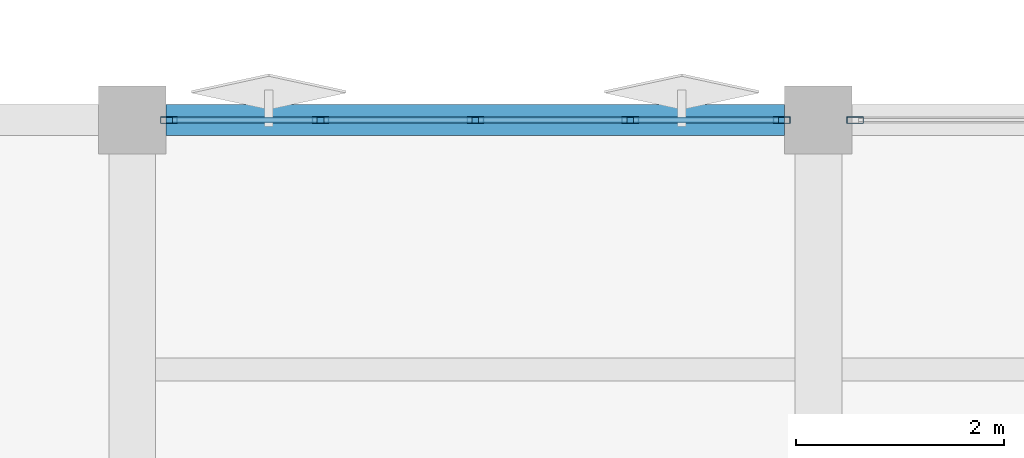
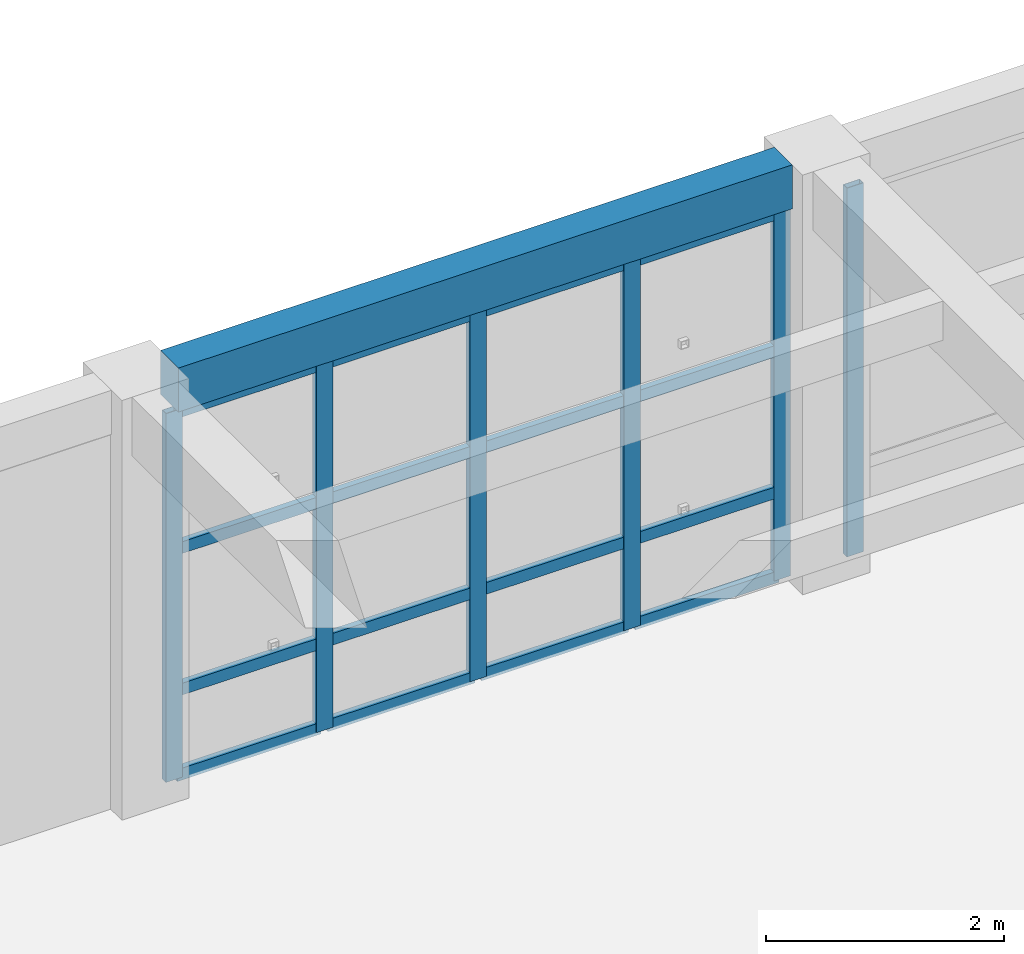
# One storey, part 12 of 39: 22 members, 1 beam, 2 elements without a shape of their own.
"""IFC4 building model written with IfcOpenShell, lengths in metres."""

from ifc_helpers import new_model, si_unit, direction, frame, origin, origin_2d, place, context, subcontext, project, spatial, rectangle, hollow_rectangle, extrude, material, layer, layer_set, material_profile, profile_set, type_object, element, aggregate, save


model = new_model("IFC4")

# Units and contexts
model_context = context("Model", 3, precision=1e-05, world=origin(), true_north=direction((0.0, 1.0)))
body_context = subcontext(model_context, "Body", "Model", "MODEL_VIEW")
ifc_project = project(units=[si_unit("LENGTHUNIT", "METRE"), si_unit("AREAUNIT", "SQUARE_METRE"), si_unit("VOLUMEUNIT", "CUBIC_METRE"), si_unit("PLANEANGLEUNIT", "RADIAN"), si_unit("MASSUNIT", "GRAM", prefix="KILO")], contexts=[model_context])

# Site, building, storey
site_placement = place(None, origin())
site = spatial("IfcSite", under=ifc_project, at=site_placement, CompositionType="ELEMENT")
building_placement = place(site_placement, origin())
building = spatial("IfcBuilding", under=site, at=building_placement, Name="Kharisveld Research Institute", CompositionType="ELEMENT")
storey_placement = place(building_placement, frame((0.0, 0.0, 18.60009765625)))
storey = spatial("IfcBuildingStorey", under=building, at=storey_placement, Name="L04", CompositionType="ELEMENT", Elevation=18.60009765625)

# Curtain wall, members
ifc_material_1 = material(Name="Thermally Broken Aluminium Curtain Wall", Category="aluminium")
ifc_layer_1 = layer(ifc_material_1, 0.159912109375)
ifc_layer_set_1 = layer_set([ifc_layer_1], Name="CW_SYS_04")
curtain_wall_type_1 = type_object("IfcCurtainWallType", Name="CW_SYS_04", PredefinedType="NOTDEFINED", material=ifc_layer_set_1)
curtain_wall_1_placement = place(storey_placement, origin())
curtain_wall_1 = element("IfcCurtainWall", 1, at=curtain_wall_1_placement, inside=storey, type_object=curtain_wall_type_1, Name="CW:V2:L04:N1", PredefinedType="NOTDEFINED")
ifc_material_2 = material(Name="Anodised Aluminium AW-6063-T6", Category="aluminium")
ifc_material_profile_1 = material_profile(ifc_material_2, hollow_rectangle(XDim=0.06494140625, YDim=0.159912109375, WallThickness=0.00390625, at=origin_2d()))
ifc_profile_set_1 = profile_set([ifc_material_profile_1], Name="Anodised Aluminium AW-6063-T6")
member_type_1 = type_object("IfcMemberType", Name="CW_MUL_160", PredefinedType="MULLION", material=ifc_profile_set_1)
member_1_placement = place(storey_placement, frame((121.552490234375, 60.800048828125, 0.0), z_axis=(0.0, 0.0, 1.0), x_axis=(0.0, 1.0, 0.0)))
member_1 = element("IfcMember", 2, at=member_1_placement, type_object=member_type_1, Name="CW-04 mullion 1", PredefinedType="MULLION", context=body_context, shape_type="SweptSolid", body=[
    extrude(hollow_rectangle(XDim=0.06494140625, YDim=0.159912109375, WallThickness=0.00390625, at=origin_2d()), origin(), (0.0, 0.0, 1.0), 3.77978515625),
])
member_2_placement = place(storey_placement, frame((123.010009765625, 60.800048828125, 0.0), z_axis=(0.0, 0.0, 1.0), x_axis=(0.0, 1.0, 0.0)))
member_2 = element("IfcMember", 3, at=member_2_placement, type_object=member_type_1, Name="CW-04 mullion 2", PredefinedType="MULLION", context=body_context, shape_type="SweptSolid", body=[
    extrude(hollow_rectangle(XDim=0.06494140625, YDim=0.159912109375, WallThickness=0.00390625, at=origin_2d()), origin(), (0.0, 0.0, 1.0), 3.77978515625),
])
member_3_placement = place(storey_placement, frame((124.5, 60.800048828125, 0.0), z_axis=(0.0, 0.0, 1.0), x_axis=(0.0, 1.0, 0.0)))
member_3 = element("IfcMember", 4, at=member_3_placement, type_object=member_type_1, Name="CW-04 mullion 3", PredefinedType="MULLION", context=body_context, shape_type="SweptSolid", body=[
    extrude(hollow_rectangle(XDim=0.06494140625, YDim=0.159912109375, WallThickness=0.00390625, at=origin_2d()), origin(), (0.0, 0.0, 1.0), 3.77978515625),
])
member_4_placement = place(storey_placement, frame((125.989990234375, 60.800048828125, 0.0), z_axis=(0.0, 0.0, 1.0), x_axis=(0.0, 1.0, 0.0)))
member_4 = element("IfcMember", 5, at=member_4_placement, type_object=member_type_1, Name="CW-04 mullion 4", PredefinedType="MULLION", context=body_context, shape_type="SweptSolid", body=[
    extrude(hollow_rectangle(XDim=0.06494140625, YDim=0.159912109375, WallThickness=0.00390625, at=origin_2d()), origin(), (0.0, 0.0, 1.0), 3.77978515625),
])
member_5_placement = place(storey_placement, frame((127.447509765625, 60.800048828125, 0.0), z_axis=(0.0, 0.0, 1.0), x_axis=(0.0, 1.0, 0.0)))
member_5 = element("IfcMember", 6, at=member_5_placement, type_object=member_type_1, Name="CW-04 mullion 5", PredefinedType="MULLION", context=body_context, shape_type="SweptSolid", body=[
    extrude(hollow_rectangle(XDim=0.06494140625, YDim=0.159912109375, WallThickness=0.00390625, at=origin_2d()), origin(), (0.0, 0.0, 1.0), 3.77978515625),
])

# Curtain wall, member
ifc_material_3 = material(Name="Thermally Broken Aluminium Curtain Wall", Category="aluminium")
ifc_layer_2 = layer(ifc_material_3, 0.159912109375)
ifc_layer_set_2 = layer_set([ifc_layer_2], Name="CW_SYS_05")
curtain_wall_type_2 = type_object("IfcCurtainWallType", Name="CW_SYS_05", PredefinedType="NOTDEFINED", material=ifc_layer_set_2)
curtain_wall_2_placement = place(storey_placement, origin())
curtain_wall_2 = element("IfcCurtainWall", 7, at=curtain_wall_2_placement, inside=storey, type_object=curtain_wall_type_2, Name="CW:V2:L04:N2", PredefinedType="NOTDEFINED")
member_6_placement = place(storey_placement, frame((128.152587890625, 60.800048828125, 0.0), z_axis=(0.0, 0.0, 1.0), x_axis=(0.0, 1.0, 0.0)))
member_6 = element("IfcMember", 8, at=member_6_placement, type_object=member_type_1, Name="CW-05 mullion 1", PredefinedType="MULLION", context=body_context, shape_type="SweptSolid", body=[
    extrude(hollow_rectangle(XDim=0.06494140625, YDim=0.159912109375, WallThickness=0.00390625, at=origin_2d()), origin(), (0.0, 0.0, 1.0), 3.77978515625),
])
aggregate(curtain_wall_2, [member_6])

# Member
ifc_material_4 = material(Name="Anodised Aluminium AW-6063-T6", Category="aluminium")
ifc_material_profile_2 = material_profile(ifc_material_4, hollow_rectangle(XDim=0.06005859375, YDim=0.1201171875, WallThickness=0.00390625, at=origin_2d()))
ifc_profile_set_2 = profile_set([ifc_material_profile_2], Name="Anodised Aluminium AW-6063-T6")
member_type_2 = type_object("IfcMemberType", Name="CW_TRN_120", PredefinedType="USERDEFINED", material=ifc_profile_set_2)
member_7_placement = place(storey_placement, frame((121.5849609375, 60.800048828125, 0.02978515625), z_axis=(1.0, 0.0, 0.0), x_axis=(0.0, 1.0, 0.0)))
member_7 = element("IfcMember", 9, at=member_7_placement, type_object=member_type_2, Name="CW-04 transom 1.1", ObjectType="TRANSOM", PredefinedType="USERDEFINED", context=body_context, shape_type="SweptSolid", body=[
    extrude(hollow_rectangle(XDim=0.06005859375, YDim=0.1201171875, WallThickness=0.00390625, at=origin_2d()), origin(), (0.0, 0.0, 1.0), 1.392578125),
])

member_8_placement = place(storey_placement, frame((121.5849609375, 60.800048828125, 0.89990234375), z_axis=(1.0, 0.0, 0.0), x_axis=(0.0, 1.0, 0.0)))
member_8 = element("IfcMember", 10, at=member_8_placement, type_object=member_type_2, Name="CW-04 transom 1.2", ObjectType="TRANSOM", PredefinedType="USERDEFINED", context=body_context, shape_type="SweptSolid", body=[
    extrude(hollow_rectangle(XDim=0.06005859375, YDim=0.1201171875, WallThickness=0.00390625, at=origin_2d()), origin(), (0.0, 0.0, 1.0), 1.392578125),
])

member_9_placement = place(storey_placement, frame((121.5849609375, 60.800048828125, 2.349853515625), z_axis=(1.0, 0.0, 0.0), x_axis=(0.0, 1.0, 0.0)))
member_9 = element("IfcMember", 11, at=member_9_placement, type_object=member_type_2, Name="CW-04 transom 1.3", ObjectType="TRANSOM", PredefinedType="USERDEFINED", context=body_context, shape_type="SweptSolid", body=[
    extrude(hollow_rectangle(XDim=0.06005859375, YDim=0.1201171875, WallThickness=0.00390625, at=origin_2d()), origin(), (0.0, 0.0, 1.0), 1.392578125),
])

member_10_placement = place(storey_placement, frame((121.5849609375, 60.800048828125, 3.75), z_axis=(1.0, 0.0, 0.0), x_axis=(0.0, 1.0, 0.0)))
member_10 = element("IfcMember", 12, at=member_10_placement, type_object=member_type_2, Name="CW-04 transom 1.4", ObjectType="TRANSOM", PredefinedType="USERDEFINED", context=body_context, shape_type="SweptSolid", body=[
    extrude(hollow_rectangle(XDim=0.06005859375, YDim=0.1201171875, WallThickness=0.00390625, at=origin_2d()), origin(), (0.0, 0.0, 1.0), 1.392578125),
])

member_11_placement = place(storey_placement, frame((123.04248046875, 60.800048828125, 0.02978515625), z_axis=(1.0, 0.0, 0.0), x_axis=(0.0, 1.0, 0.0)))
member_11 = element("IfcMember", 13, at=member_11_placement, type_object=member_type_2, Name="CW-04 transom 2.1", ObjectType="TRANSOM", PredefinedType="USERDEFINED", context=body_context, shape_type="SweptSolid", body=[
    extrude(hollow_rectangle(XDim=0.06005859375, YDim=0.1201171875, WallThickness=0.00390625, at=origin_2d()), origin(), (0.0, 0.0, 1.0), 1.425048828125),
])

member_12_placement = place(storey_placement, frame((123.04248046875, 60.800048828125, 0.89990234375), z_axis=(1.0, 0.0, 0.0), x_axis=(0.0, 1.0, 0.0)))
member_12 = element("IfcMember", 14, at=member_12_placement, type_object=member_type_2, Name="CW-04 transom 2.2", ObjectType="TRANSOM", PredefinedType="USERDEFINED", context=body_context, shape_type="SweptSolid", body=[
    extrude(hollow_rectangle(XDim=0.06005859375, YDim=0.1201171875, WallThickness=0.00390625, at=origin_2d()), origin(), (0.0, 0.0, 1.0), 1.425048828125),
])

member_13_placement = place(storey_placement, frame((123.04248046875, 60.800048828125, 2.349853515625), z_axis=(1.0, 0.0, 0.0), x_axis=(0.0, 1.0, 0.0)))
member_13 = element("IfcMember", 15, at=member_13_placement, type_object=member_type_2, Name="CW-04 transom 2.3", ObjectType="TRANSOM", PredefinedType="USERDEFINED", context=body_context, shape_type="SweptSolid", body=[
    extrude(hollow_rectangle(XDim=0.06005859375, YDim=0.1201171875, WallThickness=0.00390625, at=origin_2d()), origin(), (0.0, 0.0, 1.0), 1.425048828125),
])

member_14_placement = place(storey_placement, frame((123.04248046875, 60.800048828125, 3.75), z_axis=(1.0, 0.0, 0.0), x_axis=(0.0, 1.0, 0.0)))
member_14 = element("IfcMember", 16, at=member_14_placement, type_object=member_type_2, Name="CW-04 transom 2.4", ObjectType="TRANSOM", PredefinedType="USERDEFINED", context=body_context, shape_type="SweptSolid", body=[
    extrude(hollow_rectangle(XDim=0.06005859375, YDim=0.1201171875, WallThickness=0.00390625, at=origin_2d()), origin(), (0.0, 0.0, 1.0), 1.425048828125),
])

member_15_placement = place(storey_placement, frame((124.532470703125, 60.800048828125, 0.02978515625), z_axis=(1.0, 0.0, 0.0), x_axis=(0.0, 1.0, 0.0)))
member_15 = element("IfcMember", 17, at=member_15_placement, type_object=member_type_2, Name="CW-04 transom 3.1", ObjectType="TRANSOM", PredefinedType="USERDEFINED", context=body_context, shape_type="SweptSolid", body=[
    extrude(hollow_rectangle(XDim=0.06005859375, YDim=0.1201171875, WallThickness=0.00390625, at=origin_2d()), origin(), (0.0, 0.0, 1.0), 1.425048828125),
])

member_16_placement = place(storey_placement, frame((124.532470703125, 60.800048828125, 0.89990234375), z_axis=(1.0, 0.0, 0.0), x_axis=(0.0, 1.0, 0.0)))
member_16 = element("IfcMember", 18, at=member_16_placement, type_object=member_type_2, Name="CW-04 transom 3.2", ObjectType="TRANSOM", PredefinedType="USERDEFINED", context=body_context, shape_type="SweptSolid", body=[
    extrude(hollow_rectangle(XDim=0.06005859375, YDim=0.1201171875, WallThickness=0.00390625, at=origin_2d()), origin(), (0.0, 0.0, 1.0), 1.425048828125),
])

member_17_placement = place(storey_placement, frame((124.532470703125, 60.800048828125, 2.349853515625), z_axis=(1.0, 0.0, 0.0), x_axis=(0.0, 1.0, 0.0)))
member_17 = element("IfcMember", 19, at=member_17_placement, type_object=member_type_2, Name="CW-04 transom 3.3", ObjectType="TRANSOM", PredefinedType="USERDEFINED", context=body_context, shape_type="SweptSolid", body=[
    extrude(hollow_rectangle(XDim=0.06005859375, YDim=0.1201171875, WallThickness=0.00390625, at=origin_2d()), origin(), (0.0, 0.0, 1.0), 1.425048828125),
])

member_18_placement = place(storey_placement, frame((124.532470703125, 60.800048828125, 3.75), z_axis=(1.0, 0.0, 0.0), x_axis=(0.0, 1.0, 0.0)))
member_18 = element("IfcMember", 20, at=member_18_placement, type_object=member_type_2, Name="CW-04 transom 3.4", ObjectType="TRANSOM", PredefinedType="USERDEFINED", context=body_context, shape_type="SweptSolid", body=[
    extrude(hollow_rectangle(XDim=0.06005859375, YDim=0.1201171875, WallThickness=0.00390625, at=origin_2d()), origin(), (0.0, 0.0, 1.0), 1.425048828125),
])

member_19_placement = place(storey_placement, frame((126.0224609375, 60.800048828125, 0.02978515625), z_axis=(1.0, 0.0, 0.0), x_axis=(0.0, 1.0, 0.0)))
member_19 = element("IfcMember", 21, at=member_19_placement, type_object=member_type_2, Name="CW-04 transom 4.1", ObjectType="TRANSOM", PredefinedType="USERDEFINED", context=body_context, shape_type="SweptSolid", body=[
    extrude(hollow_rectangle(XDim=0.06005859375, YDim=0.1201171875, WallThickness=0.00390625, at=origin_2d()), origin(), (0.0, 0.0, 1.0), 1.392578125),
])

member_20_placement = place(storey_placement, frame((126.0224609375, 60.800048828125, 0.89990234375), z_axis=(1.0, 0.0, 0.0), x_axis=(0.0, 1.0, 0.0)))
member_20 = element("IfcMember", 22, at=member_20_placement, type_object=member_type_2, Name="CW-04 transom 4.2", ObjectType="TRANSOM", PredefinedType="USERDEFINED", context=body_context, shape_type="SweptSolid", body=[
    extrude(hollow_rectangle(XDim=0.06005859375, YDim=0.1201171875, WallThickness=0.00390625, at=origin_2d()), origin(), (0.0, 0.0, 1.0), 1.392578125),
])

member_21_placement = place(storey_placement, frame((126.0224609375, 60.800048828125, 2.349853515625), z_axis=(1.0, 0.0, 0.0), x_axis=(0.0, 1.0, 0.0)))
member_21 = element("IfcMember", 23, at=member_21_placement, type_object=member_type_2, Name="CW-04 transom 4.3", ObjectType="TRANSOM", PredefinedType="USERDEFINED", context=body_context, shape_type="SweptSolid", body=[
    extrude(hollow_rectangle(XDim=0.06005859375, YDim=0.1201171875, WallThickness=0.00390625, at=origin_2d()), origin(), (0.0, 0.0, 1.0), 1.392578125),
])

member_22_placement = place(storey_placement, frame((126.0224609375, 60.800048828125, 3.75), z_axis=(1.0, 0.0, 0.0), x_axis=(0.0, 1.0, 0.0)))
member_22 = element("IfcMember", 24, at=member_22_placement, type_object=member_type_2, Name="CW-04 transom 4.4", ObjectType="TRANSOM", PredefinedType="USERDEFINED", context=body_context, shape_type="SweptSolid", body=[
    extrude(hollow_rectangle(XDim=0.06005859375, YDim=0.1201171875, WallThickness=0.00390625, at=origin_2d()), origin(), (0.0, 0.0, 1.0), 1.392578125),
])

aggregate(curtain_wall_1, [member_1, member_2, member_3, member_4, member_5, member_7, member_8, member_9, member_10, member_11, member_12, member_13, member_14, member_15, member_16, member_17, member_18, member_19, member_20, member_21, member_22])

# Beam
ifc_material_5 = material(Name="Concrete C40/50", Category="concrete")
ifc_material_profile_3 = material_profile(ifc_material_5, rectangle(XDim=0.300048828125, YDim=0.449951171875, at=origin_2d()))
ifc_profile_set_3 = profile_set([ifc_material_profile_3], Name="Concrete C40/50")
beam_type = type_object("IfcBeamType", Name="SP_RC_300x450", PredefinedType="SPANDREL", material=ifc_profile_set_3)
beam_placement = place(storey_placement, frame((121.52490234375, 60.800048828125, 4.074951171875), z_axis=(1.0, 0.0, 0.0), x_axis=(0.0, 1.0, 0.0)))
element("IfcBeam", 25, at=beam_placement, inside=storey, type_object=beam_type, Name="BM:V2:L04:U1_3", PredefinedType="SPANDREL", context=body_context, shape_type="SweptSolid", body=[
    extrude(rectangle(XDim=0.300048828125, YDim=0.449951171875, at=origin_2d()), origin(), (0.0, 0.0, 1.0), 5.9501953125),
])

save(model, "model.ifc")
